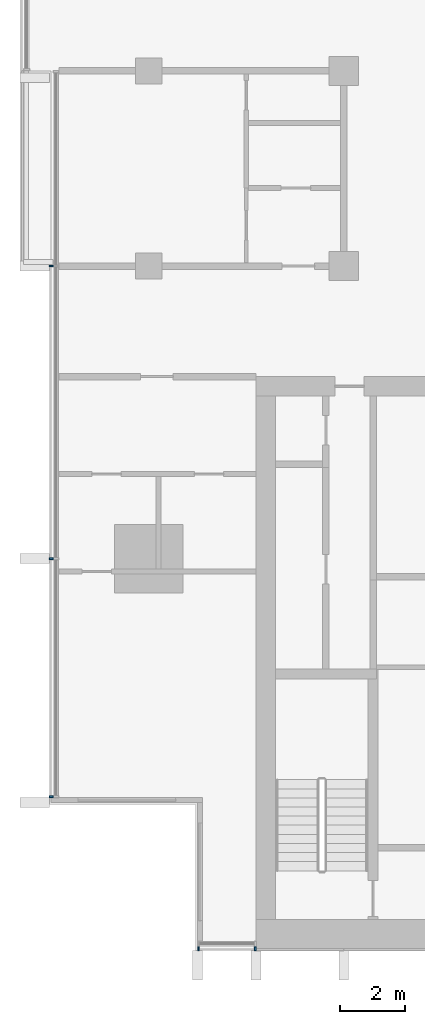
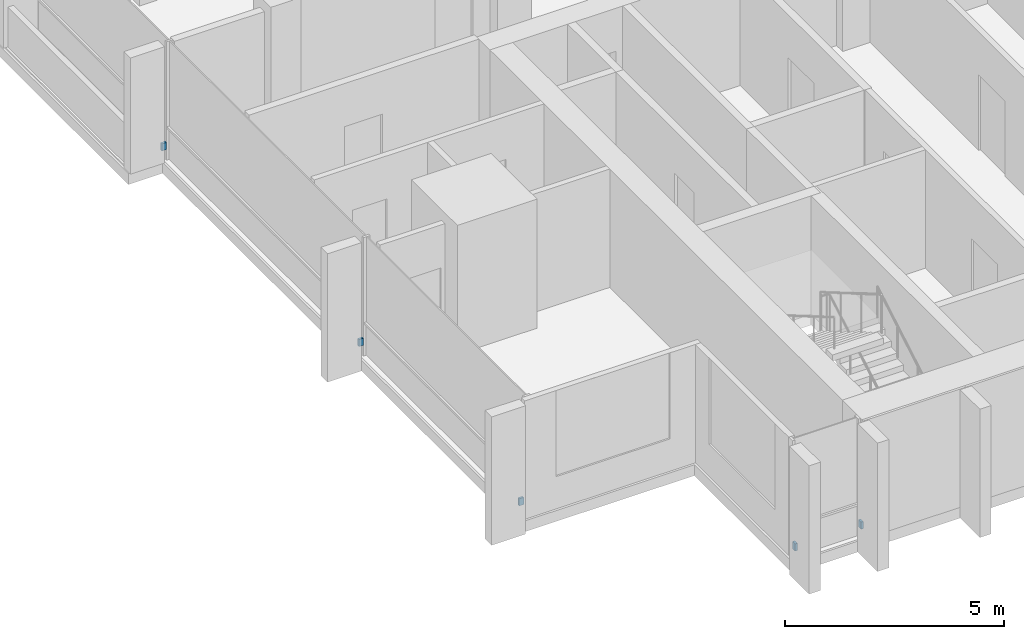
# One storey, part 12 of 16: 5 discrete accessories.
"""IFC4 building model written with IfcOpenShell, lengths in metres."""

from ifc_helpers import new_model, si_unit, direction, frame, origin, origin_2d, place, context, subcontext, project, spatial, rectangle, extrude, material, type_object, element, save


model = new_model("IFC4")

# Units and contexts
model_context = context("Model", 3, precision=1e-05, world=origin(), true_north=direction((0.0, 1.0)))
body_context = subcontext(model_context, "Body", "Model", "MODEL_VIEW")
ifc_project = project(units=[si_unit("LENGTHUNIT", "METRE"), si_unit("AREAUNIT", "SQUARE_METRE"), si_unit("VOLUMEUNIT", "CUBIC_METRE"), si_unit("PLANEANGLEUNIT", "RADIAN"), si_unit("MASSUNIT", "GRAM", prefix="KILO")], contexts=[model_context])

# Site, building, storey
site_placement = place(None, origin())
site = spatial("IfcSite", under=ifc_project, at=site_placement, CompositionType="ELEMENT")
building_placement = place(site_placement, origin())
building = spatial("IfcBuilding", under=site, at=building_placement, Name="Finial Court Residences", CompositionType="ELEMENT")
storey_placement = place(building_placement, frame((0.0, 0.0, 219.5)))
storey = spatial("IfcBuildingStorey", under=building, at=storey_placement, Name="L55", CompositionType="ELEMENT", Elevation=219.5)

# Discrete accessories
ifc_material = material(Name="Stainless steel 316", Category="steel")
discrete_accessory_type = type_object("IfcDiscreteAccessoryType", Name="Fin bracket, stainless steel 60 x 122 x 200", PredefinedType="BRACKET", material=ifc_material)
for number, where, z_axis, x_axis, name in (
    (1, (-14.969970703125, -25.498779296875, 0.2998046875), (0.0, 0.0, 1.0), (1.0, 0.0, 0.0), "E-L55-FIN-S13-BRK"),
    (2, (-13.22998046875, -25.498779296875, 0.2998046875), (0.0, 0.0, 1.0), (1.0, 0.0, 0.0), "E-L55-FIN-S14-BRK"),
):
    element("IfcDiscreteAccessory", number, at=place(storey_placement, frame(where, z_axis=z_axis, x_axis=x_axis)), inside=storey, type_object=discrete_accessory_type, Name=name, PredefinedType="BRACKET", context=body_context, shape_type="SweptSolid", body=[
        extrude(rectangle(XDim=0.06005859375, YDim=0.12255859375, at=origin_2d()), origin(), (0.0, 0.0, 1.0), 0.199951171875),
    ])
for number, where, z_axis, x_axis, name in (
    (3, (-19.498779296875, -20.820068359375, 0.2998046875), (0.0, 0.0, 1.0), (1.0, 0.0, 0.0), "E-L55-FIN-W21-BRK"),
    (4, (-19.498779296875, -13.5, 0.2998046875), (0.0, 0.0, 1.0), (1.0, 0.0, 0.0), "E-L55-FIN-W22-BRK"),
    (5, (-19.498779296875, -4.5, 0.2998046875), (0.0, 0.0, 1.0), (1.0, 0.0, 0.0), "E-L55-FIN-W23-BRK"),
):
    element("IfcDiscreteAccessory", number, at=place(storey_placement, frame(where, z_axis=z_axis, x_axis=x_axis)), inside=storey, type_object=discrete_accessory_type, Name=name, PredefinedType="BRACKET", context=body_context, shape_type="SweptSolid", body=[
        extrude(rectangle(XDim=0.12255859375, YDim=0.06005859375, at=origin_2d()), origin(), (0.0, 0.0, 1.0), 0.199951171875),
    ])

save(model, "model.ifc")
